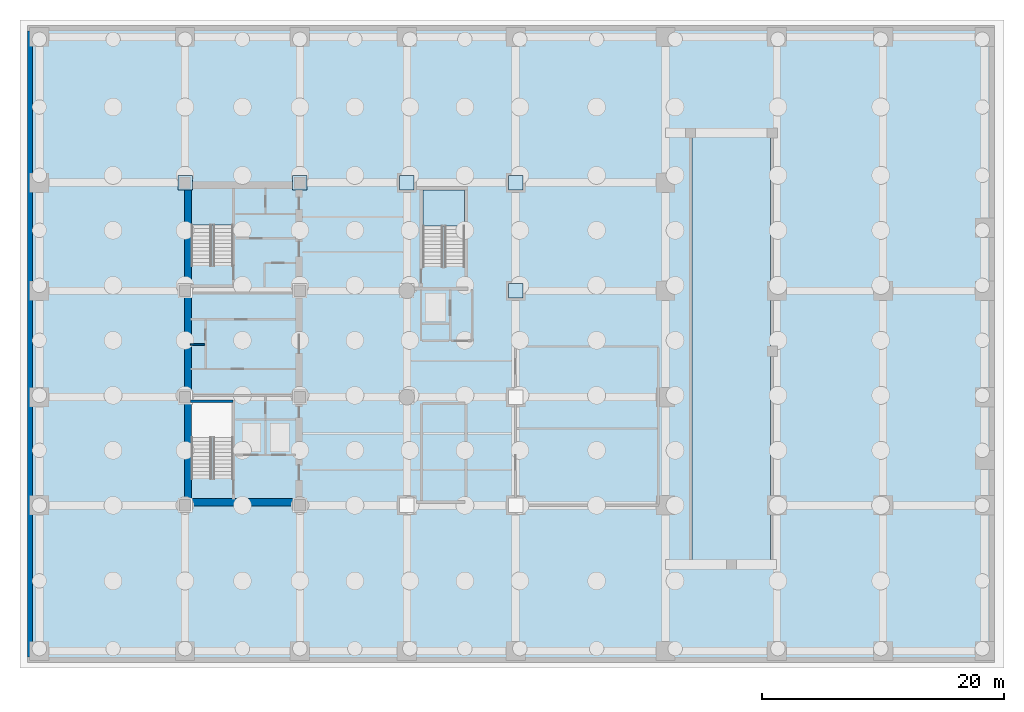
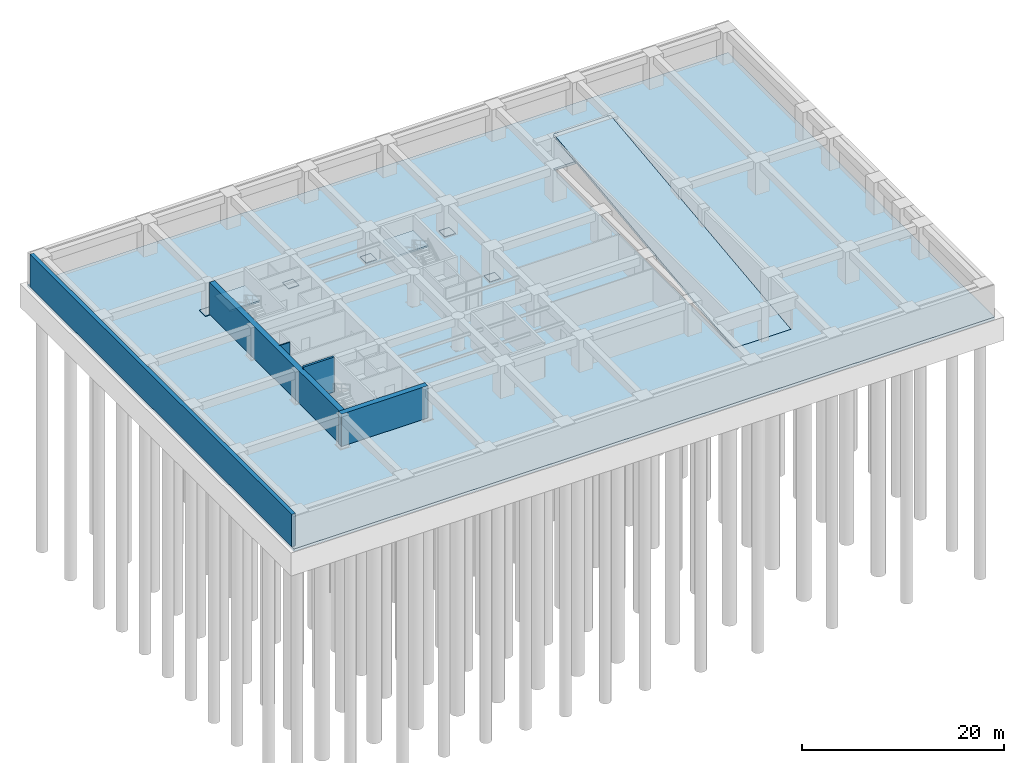
# One storey, part 3 of 9: 5 plates, 5 walls, 4 slabs, 2 elements without a shape of their own.
"""IFC4 building model written with IfcOpenShell, lengths in metres."""

from ifc_helpers import new_model, si_unit, direction, frame, frame_2d, origin, origin_2d, place, context, subcontext, project, spatial, polyline, rectangle, outline, extrude, material, layer, layer_set, type_object, element, aggregate, save


model = new_model("IFC4")

# Units and contexts
model_context = context("Model", 3, precision=1e-05, world=origin(), true_north=direction((0.0, 1.0)))
body_context = subcontext(model_context, "Body", "Model", "MODEL_VIEW")
ifc_project = project(units=[si_unit("LENGTHUNIT", "METRE"), si_unit("AREAUNIT", "SQUARE_METRE"), si_unit("VOLUMEUNIT", "CUBIC_METRE"), si_unit("PLANEANGLEUNIT", "RADIAN"), si_unit("MASSUNIT", "GRAM", prefix="KILO")], contexts=[model_context])

# Site, building, storey
site_placement = place(None, origin())
site = spatial("IfcSite", under=ifc_project, at=site_placement, CompositionType="ELEMENT")
building_placement = place(site_placement, origin())
building = spatial("IfcBuilding", under=site, at=building_placement, Name="Kundavana Baori Tower", CompositionType="ELEMENT")
storey_placement = place(building_placement, frame((0.0, 0.0, -8.39990234375)))
storey = spatial("IfcBuildingStorey", under=building, at=storey_placement, Name="B02", CompositionType="ELEMENT", Elevation=-8.39990234375)

# Plates
ifc_material_1 = material(Name="Structural Steel S355JR", Category="steel")
ifc_layer_1 = layer(ifc_material_1, 0.044921875, Name="PLT-BASE-45")
ifc_layer_set_1 = layer_set([ifc_layer_1], Name="Structural Steel S355JR")
plate_type = type_object("IfcPlateType", Name="PLT-BASE-45", PredefinedType="USERDEFINED", material=ifc_layer_set_1)
for number, where, z_axis, x_axis, name in (
    (1, (15.449951171875, 41.949951171875, 0.0), (0.0, 0.0, 1.0), (1.0, 0.0, 0.0), "Column Base Bearing Plate IC-3F"),
    (2, (24.949951171875, 41.949951171875, 0.0), (0.0, 0.0, 1.0), (1.0, 0.0, 0.0), "Column Base Bearing Plate IC-4F"),
    (3, (33.800048828125, 41.949951171875, 0.0), (0.0, 0.0, 1.0), (1.0, 0.0, 0.0), "Column Base Bearing Plate IC-5F"),
    (4, (42.800048828125, 33.0, 0.0), (0.0, 0.0, 1.0), (1.0, 0.0, 0.0), "Column Base Bearing Plate IC-6E"),
    (5, (42.800048828125, 41.949951171875, 0.0), (0.0, 0.0, 1.0), (1.0, 0.0, 0.0), "Column Base Bearing Plate IC-6F"),
):
    element("IfcPlate", number, at=place(storey_placement, frame(where, z_axis=z_axis, x_axis=x_axis)), inside=storey, type_object=plate_type, Name=name, ObjectType="BASE PLATE", PredefinedType="USERDEFINED", context=body_context, shape_type="SweptSolid", body=[
        extrude(rectangle(XDim=1.199951171875, YDim=1.199951171875, at=origin_2d()), origin(), (0.0, 0.0, 1.0), 0.044921875),
    ])

# Slab
ifc_material_2 = material(Name="Concrete C40/50", Category="concrete")
ifc_layer_2 = layer(ifc_material_2, 0.300048828125, Name="SLB-BASE-300")
ifc_layer_set_2 = layer_set([ifc_layer_2], Name="Concrete C40/50")
slab_type_1 = type_object("IfcSlabType", Name="SLB-BASE-300", PredefinedType="BASESLAB", material=ifc_layer_set_2)
slab_1_placement = place(storey_placement, frame((0.0, 0.0, -0.300048828125)))
element("IfcSlab", 6, at=slab_1_placement, inside=storey, type_object=slab_type_1, Name="B02 Structural Floor Slab", PredefinedType="BASESLAB", context=body_context, shape_type="SweptSolid", body=[
    extrude(outline(polyline([(2.39990234375, 2.25), (82.39990234375, 2.25), (82.39990234375, 54.949951171875), (2.39990234375, 54.949951171875), (2.39990234375, 2.25)]), holes=[polyline([(57.39990234375, 10.64990234375), (63.89990234375, 10.64990234375), (63.89990234375, 46.199951171875), (57.39990234375, 46.199951171875), (57.39990234375, 10.64990234375)])]), origin(), (0.0, 0.0, 1.0), 0.300048828125),
])

# Stair, slab
ifc_material_3 = material(Name="Concrete C40/50", Category="concrete")
stair_type = type_object("IfcStairType", Name="STR-DOG-1650", PredefinedType="HALF_TURN_STAIR", material=ifc_material_3)
stair_1_placement = place(storey_placement, origin())
stair_1 = element("IfcStair", 7, at=stair_1_placement, inside=storey, type_object=stair_type, Name="B02 Protected Exit Stair ST2", PredefinedType="HALF_TURN_STAIR")
ifc_material_4 = material(Name="Concrete C40/50", Category="concrete")
ifc_layer_3 = layer(ifc_material_4, 0.199951171875, Name="SLB-LND-200")
ifc_layer_set_3 = layer_set([ifc_layer_3], Name="Concrete C40/50")
slab_type_2 = type_object("IfcSlabType", Name="SLB-LND-200", PredefinedType="LANDING", material=ifc_layer_set_3)
slab_2_placement = place(storey_placement, frame((0.0, 0.0, 1.89990234375)))
slab_2 = element("IfcSlab", 8, at=slab_2_placement, type_object=slab_type_2, Name="ST2 landing 1", PredefinedType="LANDING", context=body_context, shape_type="SweptSolid", body=[
    extrude(outline(polyline([(19.43994140625, 38.4599609375), (19.43994140625, 41.449951171875), (15.97998046875, 41.449951171875), (15.97998046875, 38.4599609375), (19.43994140625, 38.4599609375)])), origin(), (0.0, 0.0, 1.0), 0.199951171875),
])
aggregate(stair_1, [slab_2])

stair_2_placement = place(storey_placement, origin())
stair_2 = element("IfcStair", 9, at=stair_2_placement, inside=storey, type_object=stair_type, Name="B02 Protected Exit Stair ST3", PredefinedType="HALF_TURN_STAIR")
slab_3_placement = place(storey_placement, frame((0.0, 0.0, 1.89990234375)))
slab_3 = element("IfcSlab", 10, at=slab_3_placement, type_object=slab_type_2, Name="ST3 landing 1", PredefinedType="LANDING", context=body_context, shape_type="SweptSolid", body=[
    extrude(outline(polyline([(38.580078125, 38.360107421875), (38.580078125, 41.35009765625), (35.1201171875, 41.35009765625), (35.1201171875, 38.360107421875), (38.580078125, 38.360107421875)])), origin(), (0.0, 0.0, 1.0), 0.199951171875),
])
aggregate(stair_2, [slab_3])

# Slab
ifc_material_5 = material(Name="Concrete C50/60", Category="concrete")
ifc_layer_4 = layer(ifc_material_5, 0.300048828125, Name="SLB-VRMP-300")
ifc_layer_set_4 = layer_set([ifc_layer_4], Name="Concrete C50/60")
slab_type_3 = type_object("IfcSlabType", Name="SLB-VRMP-300", PredefinedType="FLOOR", material=ifc_layer_set_4)
slab_4_placement = place(storey_placement, frame((57.39990234375, 10.5, 0.0), z_axis=(0.0, -0.116840065369, 0.993150743404), x_axis=(1.0, 0.0, 0.0)))
element("IfcSlab", 11, at=slab_4_placement, inside=storey, type_object=slab_type_3, Name="Two-Way Basement Car Park Vehicle Ramp Slab B02", PredefinedType="FLOOR", context=body_context, shape_type="SweptSolid", body=[
    extrude(outline(polyline([(0.0, 0.0), (6.5, 0.0), (6.5, 35.94615561531432), (0.0, 35.94615561531432), (0.0, 0.0)])), origin(), (0.0, 0.0, -1.0), 0.300048828125),
])

# Walls
ifc_material_6 = material(Name="Concrete C50/60", Category="concrete")
ifc_layer_5 = layer(ifc_material_6, 0.39990234375, Name="WL-CORE-400")
ifc_layer_set_5 = layer_set([ifc_layer_5], Name="Concrete C50/60")
wall_type_1 = type_object("IfcWallType", Name="WL-CORE-400", PredefinedType="SHEAR", material=ifc_layer_set_5)
wall_1_placement = place(storey_placement, frame((15.89990234375, 23.860107421875, 0.0), z_axis=(0.0, 0.0, 1.0), x_axis=(1.0, 0.0, 0.0)))
element("IfcWall", 12, at=wall_1_placement, inside=storey, type_object=wall_type_1, Name="WL-B02-ST1-N", PredefinedType="SHEAR", context=body_context, shape_type="SweptSolid", body=[
    extrude(rectangle(XDim=3.52001953125, YDim=0.239990234375, at=frame_2d((1.760009765625, 0.0))), origin(), (0.0, 0.0, 1.0), 4.199951171875),
])
ifc_material_7 = material(Name="Concrete C60/75", Category="concrete")
ifc_layer_6 = layer(ifc_material_7, 0.60009765625, Name="WL-CORE-600")
ifc_layer_set_6 = layer_set([ifc_layer_6], Name="Concrete C60/75")
wall_type_2 = type_object("IfcWallType", Name="WL-CORE-600", PredefinedType="SHEAR", material=ifc_layer_set_6)
wall_2_placement = place(storey_placement, frame((15.300048828125, 15.510009765625, 0.0), z_axis=(0.0, 0.0, 1.0), x_axis=(1.0, 0.0, 0.0)))
element("IfcWall", 13, at=wall_2_placement, inside=storey, type_object=wall_type_2, Name="B02 Offset Core South Shear Wall", PredefinedType="SHEAR", context=body_context, shape_type="SweptSolid", body=[
    extrude(rectangle(XDim=9.8798828125, YDim=0.60009765625, at=frame_2d((4.93994140625, 0.0))), origin(), (0.0, 0.0, 1.0), 3.89990234375),
])
wall_3_placement = place(storey_placement, frame((15.68994140625, 15.81005859375, 0.0), z_axis=(0.0, 0.0, 1.0), x_axis=(0.0, 1.0, 0.0)))
element("IfcWall", 14, at=wall_3_placement, inside=storey, type_object=wall_type_2, Name="B02 Offset Core West Shear Wall", PredefinedType="SHEAR", context=body_context, shape_type="SweptSolid", body=[
    extrude(rectangle(XDim=25.6298828125, YDim=0.60009765625, at=frame_2d((12.81494140625, 0.0))), origin(), (0.0, 0.0, 1.0), 3.89990234375),
])
ifc_material_8 = material(Name="Acoustic Gypsum Plasterboard on Galvanised Steel Studs", Category="steel")
ifc_layer_7 = layer(ifc_material_8, 0.1201171875, Name="WL-PART-120")
ifc_layer_set_7 = layer_set([ifc_layer_7], Name="Acoustic Gypsum Plasterboard on Galvanised Steel Studs")
wall_type_3 = type_object("IfcWallType", Name="WL-PART-120", PredefinedType="PARTITIONING", material=ifc_layer_set_7)
wall_4_placement = place(storey_placement, frame((15.89990234375, 28.56005859375, 0.0), z_axis=(0.0, 0.0, 1.0), x_axis=(1.0, 0.0, 0.0)))
element("IfcWall", 15, at=wall_4_placement, inside=storey, type_object=wall_type_3, Name="WL-B02-RSRW-N", PredefinedType="PARTITIONING", context=body_context, shape_type="SweptSolid", body=[
    extrude(rectangle(XDim=1.2001953125, YDim=0.1201171875, at=frame_2d((0.60009765625, 0.0))), origin(), (0.0, 0.0, 1.0), 3.89990234375),
])
ifc_material_9 = material(Name="Concrete C40/50", Category="concrete")
ifc_layer_8 = layer(ifc_material_9, 0.449951171875, Name="WL-RET-450")
ifc_layer_set_8 = layer_set([ifc_layer_8], Name="Concrete C40/50")
wall_type_4 = type_object("IfcWallType", Name="WL-RET-450", PredefinedType="SHEAR", material=ifc_layer_set_8)
wall_5_placement = place(storey_placement, frame((2.625, 2.699951171875, 0.0), z_axis=(0.0, 0.0, 1.0), x_axis=(0.0, 1.0, 0.0)))
element("IfcWall", 16, at=wall_5_placement, inside=storey, type_object=wall_type_4, Name="B02 West Perimeter Retaining Wall", PredefinedType="SHEAR", context=body_context, shape_type="SweptSolid", body=[
    extrude(rectangle(XDim=51.800048828125, YDim=0.449951171875, at=frame_2d((25.89990234375, 0.0))), origin(), (0.0, 0.0, 1.0), 3.89990234375),
])

save(model, "model.ifc")
